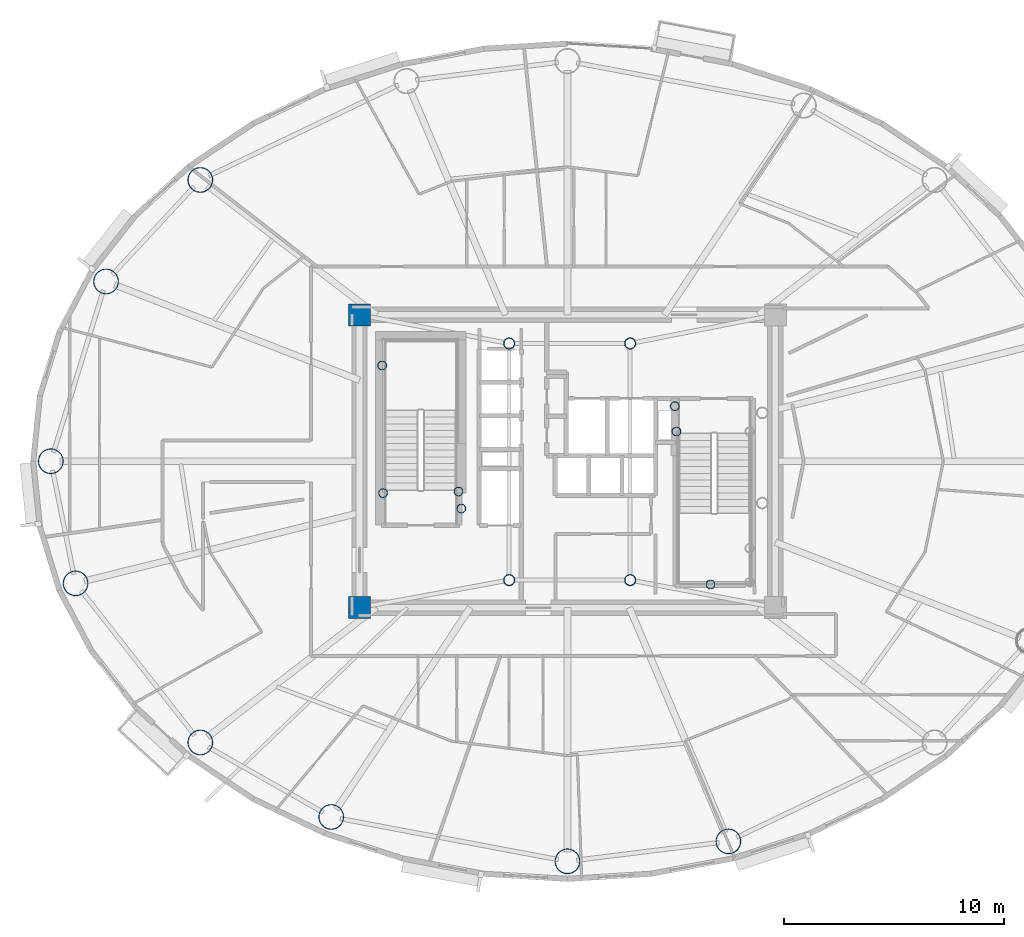
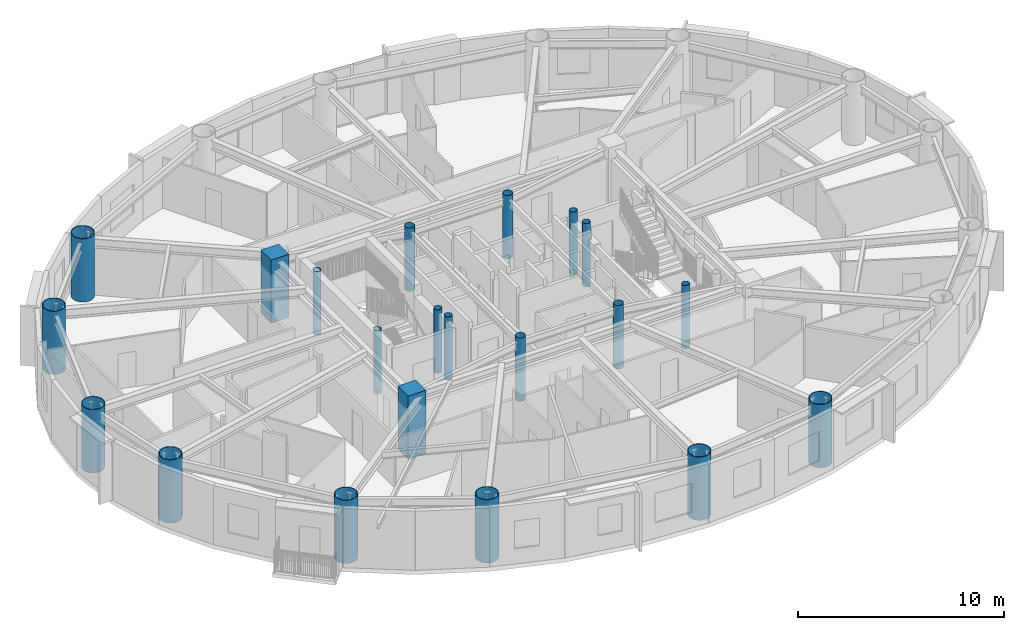
# One storey, part 1 of 18: 21 columns.
"""IFC4 building model written with IfcOpenShell, lengths in metres."""

from ifc_helpers import new_model, si_unit, direction, frame, origin, origin_2d, place, context, subcontext, project, spatial, rectangle, hollow_circle, extrude, material, material_profile, profile_set, type_object, element, save


model = new_model("IFC4")

# Units and contexts
model_context = context("Model", 3, precision=1e-05, world=origin(), true_north=direction((0.0, 1.0)))
body_context = subcontext(model_context, "Body", "Model", "MODEL_VIEW")
ifc_project = project(units=[si_unit("LENGTHUNIT", "METRE"), si_unit("AREAUNIT", "SQUARE_METRE"), si_unit("VOLUMEUNIT", "CUBIC_METRE"), si_unit("PLANEANGLEUNIT", "RADIAN"), si_unit("MASSUNIT", "GRAM", prefix="KILO")], contexts=[model_context])

# Site, building, storey
site_placement = place(None, origin())
site = spatial("IfcSite", under=ifc_project, at=site_placement, CompositionType="ELEMENT")
building_placement = place(site_placement, origin())
building = spatial("IfcBuilding", under=site, at=building_placement, Name="Linh Dai School and Residence Tower", CompositionType="ELEMENT")
storey_placement = place(building_placement, frame((0.0, 0.0, 240.300048828125)))
storey = spatial("IfcBuildingStorey", under=building, at=storey_placement, Name="L59", CompositionType="ELEMENT", Elevation=240.300048828125)

# Columns
ifc_material_1 = material(Name="Concrete B45 (C35/45)", Category="concrete")
ifc_material_profile_1 = material_profile(ifc_material_1, rectangle(XDim=1.0, YDim=1.0, at=origin_2d()), Name="RC 1000x1000")
ifc_profile_set_1 = profile_set([ifc_material_profile_1], Name="Concrete B45 (C35/45)")
column_type_1 = type_object("IfcColumnType", Name="COL-CC3", PredefinedType="COLUMN", material=ifc_profile_set_1)
for number, where, z_axis, x_axis, name in (
    (1, (26.550048828125, 20.35009765625, 0.0), (0.0, 0.0, 1.0), (1.0, 0.0, 0.0), "L59 Core Corner Pier CC1"),
    (2, (26.550048828125, 33.64990234375, 0.0), (0.0, 0.0, 1.0), (1.0, 0.0, 0.0), "L59 Core Corner Pier CC4"),
):
    element("IfcColumn", number, at=place(storey_placement, frame(where, z_axis=z_axis, x_axis=x_axis)), inside=storey, type_object=column_type_1, Name=name, PredefinedType="COLUMN", context=body_context, shape_type="SweptSolid", body=[
        extrude(rectangle(XDim=1.0, YDim=1.0, at=origin_2d()), origin(), (0.0, 0.0, 1.0), 3.75),
    ])
ifc_material_2 = material(Name="Structural Steel S355JR", Category="steel")
ifc_material_profile_2 = material_profile(ifc_material_2, hollow_circle(Radius=0.203125, WallThickness=0.01611328125, at=origin_2d()), Name="CHS 406.4x16")
ifc_profile_set_2 = profile_set([ifc_material_profile_2], Name="Structural Steel S355JR")
column_type_2 = type_object("IfcColumnType", Name="COL-EC", PredefinedType="COLUMN", material=ifc_profile_set_2)
for number, where, z_axis, x_axis, name in (
    (3, (27.580078125, 31.35009765625, 0.0), (0.0, 0.0, 1.0), (1.0, 0.0, 0.0), "L59 Stair Shaft Landing Support Pier ST1NW"),
    (4, (31.050048828125, 25.6201171875, 0.0), (0.0, 0.0, 1.0), (1.0, 0.0, 0.0), "L59 Stair Shaft Landing Support Pier ST1SE"),
    (5, (31.179931640625, 24.85009765625, 0.0), (0.0, 0.0, 1.0), (1.0, 0.0, 0.0), "L59 Stair Shaft Landing Support Pier ST1SM"),
    (6, (27.6201171875, 25.550048828125, 0.0), (0.0, 0.0, 1.0), (1.0, 0.0, 0.0), "L59 Stair Shaft Landing Support Pier ST1SW"),
    (7, (42.5, 21.39990234375, 0.0), (0.0, 0.0, 1.0), (1.0, 0.0, 0.0), "L59 Stair Shaft Landing Support Pier ST2MS"),
    (8, (40.949951171875, 28.35009765625, 0.0), (0.0, 0.0, 1.0), (1.0, 0.0, 0.0), "L59 Stair Shaft Landing Support Pier ST2N1"),
    (9, (40.8798828125, 29.5, 0.0), (0.0, 0.0, 1.0), (1.0, 0.0, 0.0), "L59 Stair Shaft Landing Support Pier ST2N3"),
):
    element("IfcColumn", number, at=place(storey_placement, frame(where, z_axis=z_axis, x_axis=x_axis)), inside=storey, type_object=column_type_2, Name=name, PredefinedType="COLUMN", context=body_context, shape_type="SweptSolid", body=[
        extrude(hollow_circle(Radius=0.203125, WallThickness=0.01611328125, at=origin_2d()), origin(), (0.0, 0.0, 1.0), 3.75),
    ])
ifc_material_profile_3 = material_profile(ifc_material_2, hollow_circle(Radius=0.574951171875, WallThickness=0.035888671875, at=origin_2d()), Name="CHS 1150x36")
ifc_profile_set_3 = profile_set([ifc_material_profile_3], Name="Structural Steel S355JR")
column_type_3 = type_object("IfcColumnType", Name="COL-MC5", PredefinedType="COLUMN", material=ifc_profile_set_3)
for number, where, z_axis, x_axis, name in (
    (10, (19.31689453125, 39.781005859375, 0.0), (0.0, 0.0, 1.0), (1.0, 0.0, 0.0), "L59 Perimeter CFT Mega-Column MC07"),
    (11, (15.03466796875, 35.1689453125, 0.0), (0.0, 0.0, 1.0), (1.0, 0.0, 0.0), "L59 Perimeter CFT Mega-Column MC08"),
    (12, (12.52490234375, 27.0, 0.0), (0.0, 0.0, 1.0), (1.0, 0.0, 0.0), "L59 Perimeter CFT Mega-Column MC09"),
    (13, (13.648681640625, 21.45068359375, 0.0), (0.0, 0.0, 1.0), (1.0, 0.0, 0.0), "L59 Perimeter CFT Mega-Column MC10"),
    (14, (19.31689453125, 14.218994140625, 0.0), (0.0, 0.0, 1.0), (1.0, 0.0, 0.0), "L59 Perimeter CFT Mega-Column MC11"),
    (15, (25.265380859375, 10.83642578125, 0.0), (0.0, 0.0, 1.0), (1.0, 0.0, 0.0), "L59 Perimeter CFT Mega-Column MC12"),
    (16, (36.0, 8.820068359375, 0.0), (0.0, 0.0, 1.0), (1.0, 0.0, 0.0), "L59 Perimeter CFT Mega-Column MC13"),
    (17, (43.31201171875, 9.7265625, 0.0), (0.0, 0.0, 1.0), (1.0, 0.0, 0.0), "L59 Perimeter CFT Mega-Column MC14"),
):
    element("IfcColumn", number, at=place(storey_placement, frame(where, z_axis=z_axis, x_axis=x_axis)), inside=storey, type_object=column_type_3, Name=name, PredefinedType="COLUMN", context=body_context, shape_type="SweptSolid", body=[
        extrude(hollow_circle(Radius=0.574951171875, WallThickness=0.035888671875, at=origin_2d()), origin(), (0.0, 0.0, 1.0), 3.75),
    ])
ifc_material_profile_4 = material_profile(ifc_material_2, hollow_circle(Radius=0.25390625, WallThickness=0.02001953125, at=origin_2d()), Name="CHS 508x20")
ifc_profile_set_4 = profile_set([ifc_material_profile_4], Name="Structural Steel S355JR")
column_type_4 = type_object("IfcColumnType", Name="COL-MCP", PredefinedType="COLUMN", material=ifc_profile_set_4)
for number, where, z_axis, x_axis, name in (
    (18, (33.35009765625, 21.60009765625, 0.0), (0.0, 0.0, 1.0), (1.0, 0.0, 0.0), "L59 Core Mast Support Pier MCP1"),
    (19, (38.85009765625, 21.60009765625, 0.0), (0.0, 0.0, 1.0), (1.0, 0.0, 0.0), "L59 Core Mast Support Pier MCP2"),
    (20, (38.85009765625, 32.35009765625, 0.0), (0.0, 0.0, 1.0), (1.0, 0.0, 0.0), "L59 Core Mast Support Pier MCP3"),
    (21, (33.35009765625, 32.35009765625, 0.0), (0.0, 0.0, 1.0), (1.0, 0.0, 0.0), "L59 Core Mast Support Pier MCP4"),
):
    element("IfcColumn", number, at=place(storey_placement, frame(where, z_axis=z_axis, x_axis=x_axis)), inside=storey, type_object=column_type_4, Name=name, PredefinedType="COLUMN", context=body_context, shape_type="SweptSolid", body=[
        extrude(hollow_circle(Radius=0.25390625, WallThickness=0.02001953125, at=origin_2d()), origin(), (0.0, 0.0, 1.0), 3.75),
    ])

save(model, "model.ifc")
